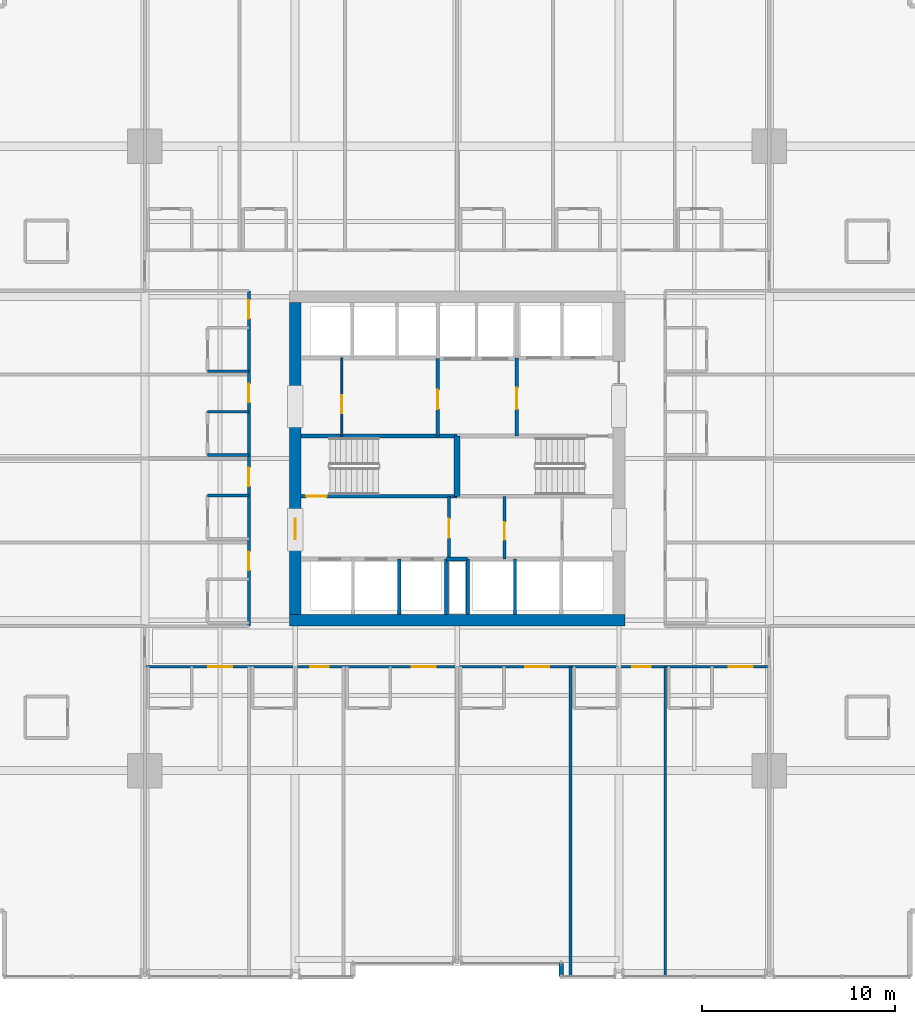
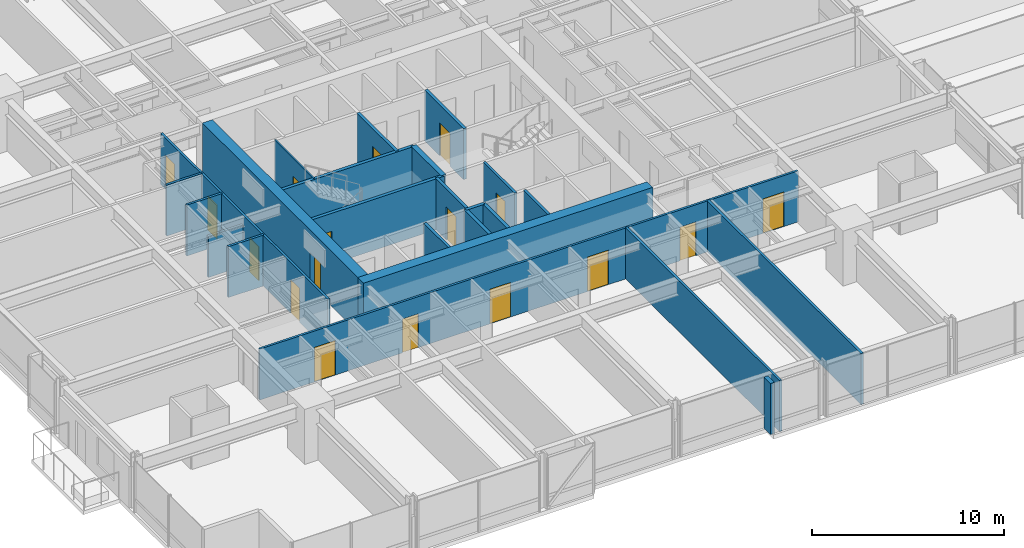
# One storey, part 32 of 42: 24 walls, 17 doors, 17 openings.
"""IFC4 building model written with IfcOpenShell, lengths in metres."""

from ifc_helpers import new_model, si_unit, direction, frame, frame_2d, origin, place, context, subcontext, project, spatial, rectangle, extrude, material, layer, layer_set, type_object, element, fill, save


model = new_model("IFC4")

# Units and contexts
model_context = context("Model", 3, precision=1e-05, world=origin(), true_north=direction((0.0, 1.0)))
body_context = subcontext(model_context, "Body", "Model", "MODEL_VIEW")
ifc_project = project(units=[si_unit("LENGTHUNIT", "METRE"), si_unit("AREAUNIT", "SQUARE_METRE"), si_unit("VOLUMEUNIT", "CUBIC_METRE"), si_unit("PLANEANGLEUNIT", "RADIAN"), si_unit("MASSUNIT", "GRAM", prefix="KILO")], contexts=[model_context])

# Site, building, storey
site_placement = place(None, origin())
site = spatial("IfcSite", under=ifc_project, at=site_placement, CompositionType="ELEMENT")
building_placement = place(site_placement, origin())
building = spatial("IfcBuilding", under=site, at=building_placement, Name="Drelvath Grand Hotel", CompositionType="ELEMENT")
storey_placement = place(building_placement, frame((0.0, 0.0, 33.199951171875)))
storey = spatial("IfcBuildingStorey", under=building, at=storey_placement, Name="L06", CompositionType="ELEMENT", Elevation=33.199951171875)

# Wall, opening, door
ifc_material_1 = material(Name="Gypsum Partition Board")
ifc_layer_1 = layer(ifc_material_1, 0.10009765625)
ifc_layer_set_1 = layer_set([ifc_layer_1], Name="Gypsum Partition Board")
wall_type_1 = type_object("IfcWallType", Name="Core Closet Partition 100", PredefinedType="PARTITIONING", material=ifc_layer_set_1)
wall_1_placement = place(storey_placement, frame((-5.97998046875, 28.159912109375, 0.0), z_axis=(0.0, 0.0, 1.0), x_axis=(0.0, 1.0, 0.0)))
wall_1 = element("IfcWall", 1, at=wall_1_placement, inside=storey, type_object=wall_type_1, Name="L06 Core Closet Divider 2", PredefinedType="PARTITIONING", context=body_context, shape_type="SweptSolid", body=[
    extrude(rectangle(XDim=4.06005859375, YDim=0.10009765625, at=frame_2d((2.030029296875, 0.0))), origin(), (0.0, 0.0, 1.0), 3.239990234375),
])
opening_1_placement = place(wall_1_placement, frame((1.199951171875, 0.0, 0.0)))
opening_1 = element("IfcOpeningElement", 2, at=opening_1_placement, cuts=wall_1, Name="Opening D-T1G1-010", PredefinedType="OPENING", context=body_context, shape_type="SweptSolid", body=[
    extrude(rectangle(XDim=0.919921875, YDim=2.10009765625, at=frame_2d((0.4599609375, 1.050048828125))), frame((0.0, 0.06005859375, 0.0), z_axis=(0.0, -1.0, 0.0), x_axis=(1.0, 0.0, 0.0)), (0.0, 0.0, 1.0), 0.1201171875),
])
ifc_material_2 = material(Name="Painted Steel S275", Category="steel")
door_type_1 = type_object("IfcDoorType", Name="Staff Utility Door 920x2100", OperationType="NOTDEFINED", PredefinedType="DOOR", material=ifc_material_2)
door_1_placement = place(opening_1_placement, origin())
door_1 = element("IfcDoor", 3, at=door_1_placement, inside=storey, type_object=door_type_1, Name="L06 Low-Voltage Closet Door", OperationType="SINGLE_SWING_RIGHT", OverallHeight=2.10009765625, OverallWidth=0.919921875, PredefinedType="DOOR", context=body_context, shape_type="SweptSolid", body=[
    extrude(rectangle(XDim=0.919921875, YDim=2.10009765625, at=frame_2d((0.4599609375, 1.050048828125))), frame((0.0, 0.02490234375, 0.0), z_axis=(0.0, -1.0, 0.0), x_axis=(1.0, 0.0, 0.0)), (0.0, 0.0, 1.0), 0.050048828125),
])
fill(opening_1, door_1)

# Walls
ifc_material_3 = material(Name="Concrete C40/50", Category="concrete")
ifc_layer_2 = layer(ifc_material_3, 0.199951171875)
ifc_layer_set_2 = layer_set([ifc_layer_2], Name="Concrete C40/50")
wall_type_2 = type_object("IfcWallType", Name="Core Hoistway Fire Wall 200", PredefinedType="SOLIDWALL", material=ifc_layer_set_2)
for number, where, z_axis, x_axis, name in (
    (4, (-0.550048828125, 18.89990234375, 0.0), (0.0, 0.0, 1.0), (0.0, 1.0, 0.0), "L06 Bank 1 East Wall"),
    (5, (0.550048828125, 18.89990234375, 0.0), (0.0, 0.0, 1.0), (0.0, 1.0, 0.0), "L06 Bank 2 West Wall"),
):
    element("IfcWall", number, at=place(storey_placement, frame(where, z_axis=z_axis, x_axis=x_axis)), inside=storey, type_object=wall_type_2, Name=name, PredefinedType="SOLIDWALL", context=body_context, shape_type="SweptSolid", body=[
        extrude(rectangle(XDim=2.880126953125, YDim=0.199951171875, at=frame_2d((1.43994140625, 0.0))), origin(), (0.0, 0.0, 1.0), 3.239990234375),
    ])
wall_2_placement = place(storey_placement, frame((-0.550048828125, 21.780029296875, 0.0), z_axis=(0.0, 0.0, 1.0), x_axis=(1.0, 0.0, 0.0)))
element("IfcWall", 6, at=wall_2_placement, inside=storey, type_object=wall_type_2, Name="L06 Core Riser Wall", PredefinedType="SOLIDWALL", context=body_context, shape_type="SweptSolid", body=[
    extrude(rectangle(XDim=1.10009765625, YDim=0.199951171875, at=frame_2d((0.550048828125, 0.0))), origin(), (0.0, 0.0, 1.0), 3.239990234375),
])

# Wall, opening, door
ifc_layer_3 = layer(ifc_material_3, 0.199951171875)
ifc_layer_set_3 = layer_set([ifc_layer_3], Name="Concrete C40/50")
wall_type_3 = type_object("IfcWallType", Name="Core Shaft Fire Wall 200", PredefinedType="SOLIDWALL", material=ifc_layer_set_3)
wall_3_placement = place(storey_placement, frame((-8.10009765625, 25.0400390625, 0.0), z_axis=(0.0, 0.0, 1.0), x_axis=(1.0, 0.0, 0.0)))
wall_3 = element("IfcWall", 7, at=wall_3_placement, inside=storey, type_object=wall_type_3, Name="L06 Stair ST-1 South Wall", PredefinedType="SOLIDWALL", context=body_context, shape_type="SweptSolid", body=[
    extrude(rectangle(XDim=8.10009765625, YDim=0.199951171875, at=frame_2d((4.050048828125, 0.0))), origin(), (0.0, 0.0, 1.0), 3.239990234375),
])
opening_2_placement = place(wall_3_placement, frame((0.280029296875, 0.0, 0.0)))
opening_2 = element("IfcOpeningElement", 8, at=opening_2_placement, cuts=wall_3, Name="Opening D-T1G1-001", PredefinedType="OPENING", context=body_context, shape_type="SweptSolid", body=[
    extrude(rectangle(XDim=1.050048828125, YDim=2.10009765625, at=frame_2d((0.52490234375, 1.050048828125))), frame((0.0, 0.10986328125, 0.0), z_axis=(0.0, -1.0, 0.0), x_axis=(1.0, 0.0, 0.0)), (0.0, 0.0, 1.0), 0.219970703125),
])
door_type_2 = type_object("IfcDoorType", Name="Tower Stairwell Fire Door 1050x2100", OperationType="NOTDEFINED", PredefinedType="DOOR", material=ifc_material_2)
door_2_placement = place(opening_2_placement, origin())
door_2 = element("IfcDoor", 9, at=door_2_placement, inside=storey, type_object=door_type_2, Name="L06 Exit Stair ST-1 Door", OperationType="SINGLE_SWING_LEFT", OverallHeight=2.10009765625, OverallWidth=1.050048828125, PredefinedType="DOOR", context=body_context, shape_type="SweptSolid", body=[
    extrude(rectangle(XDim=1.050048828125, YDim=2.10009765625, at=frame_2d((0.52490234375, 1.050048828125))), frame((0.0, 0.02490234375, 0.0), z_axis=(0.0, -1.0, 0.0), x_axis=(1.0, 0.0, 0.0)), (0.0, 0.0, 1.0), 0.050048828125),
])
fill(opening_2, door_2)

# Walls
wall_4_placement = place(storey_placement, frame((-8.10009765625, 28.159912109375, 0.0), z_axis=(0.0, 0.0, 1.0), x_axis=(1.0, 0.0, 0.0)))
element("IfcWall", 10, at=wall_4_placement, inside=storey, type_object=wall_type_3, Name="L06 Stair ST-1 North Wall", PredefinedType="SOLIDWALL", context=body_context, shape_type="SweptSolid", body=[
    extrude(rectangle(XDim=8.10009765625, YDim=0.199951171875, at=frame_2d((4.050048828125, 0.0))), origin(), (0.0, 0.0, 1.0), 3.239990234375),
])
ifc_layer_4 = layer(ifc_material_3, 0.300048828125)
ifc_layer_set_4 = layer_set([ifc_layer_4], Name="Concrete C40/50")
wall_type_4 = type_object("IfcWallType", Name="Core Shaft Fire Wall 300", PredefinedType="SOLIDWALL", material=ifc_layer_set_4)
wall_5_placement = place(storey_placement, frame((0.0, 25.0400390625, 0.0), z_axis=(0.0, 0.0, 1.0), x_axis=(0.0, 1.0, 0.0)))
element("IfcWall", 11, at=wall_5_placement, inside=storey, type_object=wall_type_4, Name="L06 Core Stair Divider Wall", PredefinedType="SOLIDWALL", context=body_context, shape_type="SweptSolid", body=[
    extrude(rectangle(XDim=3.119873046875, YDim=0.300048828125, at=frame_2d((1.56005859375, 0.0))), origin(), (0.0, 0.0, 1.0), 3.239990234375),
])
ifc_material_4 = material(Name="Gypsum Fireboard Partition")
ifc_layer_5 = layer(ifc_material_4, 0.1650390625)
ifc_layer_set_5 = layer_set([ifc_layer_5], Name="Gypsum Fireboard Partition")
wall_type_5 = type_object("IfcWallType", Name="Core Shaft Partition 165", PredefinedType="PARTITIONING", material=ifc_layer_set_5)
for number, where, z_axis, x_axis, name in (
    (12, (-3.0, 18.89990234375, 0.0), (0.0, 0.0, 1.0), (0.0, 1.0, 0.0), "L06 Lift PE-2/3 Divider"),
    (13, (3.0, 18.89990234375, 0.0), (0.0, 0.0, 1.0), (0.0, 1.0, 0.0), "L06 Lift PE-4/5 Divider"),
):
    element("IfcWall", number, at=place(storey_placement, frame(where, z_axis=z_axis, x_axis=x_axis)), inside=storey, type_object=wall_type_5, Name=name, PredefinedType="PARTITIONING", context=body_context, shape_type="SweptSolid", body=[
        extrude(rectangle(XDim=2.880126953125, YDim=0.1650390625, at=frame_2d((1.43994140625, 0.0))), origin(), (0.0, 0.0, 1.0), 3.239990234375),
    ])

# Wall, openings, doors
ifc_layer_6 = layer(ifc_material_4, 0.135009765625)
ifc_layer_set_6 = layer_set([ifc_layer_6], Name="Gypsum Fireboard Partition")
wall_type_6 = type_object("IfcWallType", Name="Corridor Fire Barrier Wall 135", PredefinedType="PARTITIONING", material=ifc_layer_set_6)
wall_6_placement = place(storey_placement, frame((-16.199951171875, 16.199951171875, 0.0), z_axis=(0.0, 0.0, 1.0), x_axis=(1.0, 0.0, 0.0)))
wall_6 = element("IfcWall", 14, at=wall_6_placement, inside=storey, type_object=wall_type_6, Name="L06 South Corridor Wall", PredefinedType="PARTITIONING", context=body_context, shape_type="SweptSolid", body=[
    extrude(rectangle(XDim=32.39990234375, YDim=0.135009765625, at=frame_2d((16.199951171875, 0.0))), origin(), (0.0, 0.0, 1.0), 3.239990234375),
])
opening_3_placement = place(wall_6_placement, frame((3.284912109375, 0.0, 0.0)))
opening_3 = element("IfcOpeningElement", 15, at=opening_3_placement, cuts=wall_6, Name="Opening D-T1G1-027", PredefinedType="OPENING", context=body_context, shape_type="SweptSolid", body=[
    extrude(rectangle(XDim=1.260009765625, YDim=2.199951171875, at=frame_2d((0.6298828125, 1.10009765625))), frame((0.0, 0.077392578125, 0.0), z_axis=(0.0, -1.0, 0.0), x_axis=(1.0, 0.0, 0.0)), (0.0, 0.0, 1.0), 0.155029296875),
])
opening_4_placement = place(wall_6_placement, frame((8.589599609375, 0.0, 0.0)))
opening_4 = element("IfcOpeningElement", 16, at=opening_4_placement, cuts=wall_6, Name="Opening D-T1G1-029", PredefinedType="OPENING", context=body_context, shape_type="SweptSolid", body=[
    extrude(rectangle(XDim=0.9599609375, YDim=2.14990234375, at=frame_2d((0.47998046875, 1.074951171875))), frame((0.0, 0.077392578125, 0.0), z_axis=(0.0, -1.0, 0.0), x_axis=(1.0, 0.0, 0.0)), (0.0, 0.0, 1.0), 0.155029296875),
])
opening_5_placement = place(wall_6_placement, frame((13.839599609375, 0.0, 0.0)))
opening_5 = element("IfcOpeningElement", 17, at=opening_5_placement, cuts=wall_6, Name="Opening D-T1G1-031", PredefinedType="OPENING", context=body_context, shape_type="SweptSolid", body=[
    extrude(rectangle(XDim=1.260009765625, YDim=2.199951171875, at=frame_2d((0.6298828125, 1.10009765625))), frame((0.0, 0.077392578125, 0.0), z_axis=(0.0, -1.0, 0.0), x_axis=(1.0, 0.0, 0.0)), (0.0, 0.0, 1.0), 0.155029296875),
])
opening_6_placement = place(wall_6_placement, frame((19.73046875, 0.0, 0.0)))
opening_6 = element("IfcOpeningElement", 18, at=opening_6_placement, cuts=wall_6, Name="Opening D-T1G1-033", PredefinedType="OPENING", context=body_context, shape_type="SweptSolid", body=[
    extrude(rectangle(XDim=1.260009765625, YDim=2.199951171875, at=frame_2d((0.6298828125, 1.10009765625))), frame((0.0, 0.077392578125, 0.0), z_axis=(0.0, -1.0, 0.0), x_axis=(1.0, 0.0, 0.0)), (0.0, 0.0, 1.0), 0.155029296875),
])
opening_7_placement = place(wall_6_placement, frame((25.280517578125, 0.0, 0.0)))
opening_7 = element("IfcOpeningElement", 19, at=opening_7_placement, cuts=wall_6, Name="Opening D-T1G1-035", PredefinedType="OPENING", context=body_context, shape_type="SweptSolid", body=[
    extrude(rectangle(XDim=0.9599609375, YDim=2.14990234375, at=frame_2d((0.47998046875, 1.074951171875))), frame((0.0, 0.077392578125, 0.0), z_axis=(0.0, -1.0, 0.0), x_axis=(1.0, 0.0, 0.0)), (0.0, 0.0, 1.0), 0.155029296875),
])
opening_8_placement = place(wall_6_placement, frame((30.284912109375, 0.0, 0.0)))
opening_8 = element("IfcOpeningElement", 20, at=opening_8_placement, cuts=wall_6, Name="Opening D-T1G1-037", PredefinedType="OPENING", context=body_context, shape_type="SweptSolid", body=[
    extrude(rectangle(XDim=1.260009765625, YDim=2.199951171875, at=frame_2d((0.6298828125, 1.10009765625))), frame((0.0, 0.077392578125, 0.0), z_axis=(0.0, -1.0, 0.0), x_axis=(1.0, 0.0, 0.0)), (0.0, 0.0, 1.0), 0.155029296875),
])
ifc_material_5 = material(Name="Hardwood Walnut Timber", Category="wood")
door_type_3 = type_object("IfcDoorType", Name="Guestroom Entrance Fire Door 960x2150", OperationType="NOTDEFINED", PredefinedType="DOOR", material=ifc_material_5)
door_3_placement = place(opening_4_placement, origin())
door_3 = element("IfcDoor", 21, at=door_3_placement, inside=storey, type_object=door_type_3, Name="L06 King Guest Room Entry Door", OperationType="SINGLE_SWING_RIGHT", OverallHeight=2.14990234375, OverallWidth=0.9599609375, PredefinedType="DOOR", context=body_context, shape_type="SweptSolid", body=[
    extrude(rectangle(XDim=0.9599609375, YDim=2.14990234375, at=frame_2d((0.47998046875, 1.074951171875))), frame((0.0, 0.02490234375, 0.0), z_axis=(0.0, -1.0, 0.0), x_axis=(1.0, 0.0, 0.0)), (0.0, 0.0, 1.0), 0.050048828125),
])
fill(opening_4, door_3)
door_4_placement = place(opening_7_placement, origin())
door_4 = element("IfcDoor", 22, at=door_4_placement, inside=storey, type_object=door_type_3, Name="L06 King Guest Room Entry Door", OperationType="SINGLE_SWING_RIGHT", OverallHeight=2.14990234375, OverallWidth=0.9599609375, PredefinedType="DOOR", context=body_context, shape_type="SweptSolid", body=[
    extrude(rectangle(XDim=0.9599609375, YDim=2.14990234375, at=frame_2d((0.47998046875, 1.074951171875))), frame((0.0, 0.02490234375, 0.0), z_axis=(0.0, -1.0, 0.0), x_axis=(1.0, 0.0, 0.0)), (0.0, 0.0, 1.0), 0.050048828125),
])
fill(opening_7, door_4)
door_type_4 = type_object("IfcDoorType", Name="Suite Entrance Fire Door 1260x2200", OperationType="NOTDEFINED", PredefinedType="DOOR", material=ifc_material_5)
door_5_placement = place(opening_3_placement, origin())
door_5 = element("IfcDoor", 23, at=door_5_placement, inside=storey, type_object=door_type_4, Name="L06 Corner Suite Entry Door", OperationType="SINGLE_SWING_RIGHT", OverallHeight=2.199951171875, OverallWidth=1.260009765625, PredefinedType="DOOR", context=body_context, shape_type="SweptSolid", body=[
    extrude(rectangle(XDim=1.260009765625, YDim=2.199951171875, at=frame_2d((0.6298828125, 1.10009765625))), frame((0.0, 0.02490234375, 0.0), z_axis=(0.0, -1.0, 0.0), x_axis=(1.0, 0.0, 0.0)), (0.0, 0.0, 1.0), 0.050048828125),
])
fill(opening_3, door_5)
door_6_placement = place(opening_5_placement, origin())
door_6 = element("IfcDoor", 24, at=door_6_placement, inside=storey, type_object=door_type_4, Name="L06 Corner Suite Entry Door", OperationType="SINGLE_SWING_RIGHT", OverallHeight=2.199951171875, OverallWidth=1.260009765625, PredefinedType="DOOR", context=body_context, shape_type="SweptSolid", body=[
    extrude(rectangle(XDim=1.260009765625, YDim=2.199951171875, at=frame_2d((0.6298828125, 1.10009765625))), frame((0.0, 0.02490234375, 0.0), z_axis=(0.0, -1.0, 0.0), x_axis=(1.0, 0.0, 0.0)), (0.0, 0.0, 1.0), 0.050048828125),
])
fill(opening_5, door_6)
door_7_placement = place(opening_6_placement, origin())
door_7 = element("IfcDoor", 25, at=door_7_placement, inside=storey, type_object=door_type_4, Name="L06 Corner Suite Entry Door", OperationType="SINGLE_SWING_RIGHT", OverallHeight=2.199951171875, OverallWidth=1.260009765625, PredefinedType="DOOR", context=body_context, shape_type="SweptSolid", body=[
    extrude(rectangle(XDim=1.260009765625, YDim=2.199951171875, at=frame_2d((0.6298828125, 1.10009765625))), frame((0.0, 0.02490234375, 0.0), z_axis=(0.0, -1.0, 0.0), x_axis=(1.0, 0.0, 0.0)), (0.0, 0.0, 1.0), 0.050048828125),
])
fill(opening_6, door_7)
door_8_placement = place(opening_8_placement, origin())
door_8 = element("IfcDoor", 26, at=door_8_placement, inside=storey, type_object=door_type_4, Name="L06 Corner Suite Entry Door", OperationType="SINGLE_SWING_RIGHT", OverallHeight=2.199951171875, OverallWidth=1.260009765625, PredefinedType="DOOR", context=body_context, shape_type="SweptSolid", body=[
    extrude(rectangle(XDim=1.260009765625, YDim=2.199951171875, at=frame_2d((0.6298828125, 1.10009765625))), frame((0.0, 0.02490234375, 0.0), z_axis=(0.0, -1.0, 0.0), x_axis=(1.0, 0.0, 0.0)), (0.0, 0.0, 1.0), 0.050048828125),
])
fill(opening_8, door_8)

wall_7_placement = place(storey_placement, frame((-10.800048828125, 18.300048828125, 0.0), z_axis=(0.0, 0.0, 1.0), x_axis=(0.0, 1.0, 0.0)))
wall_7 = element("IfcWall", 27, at=wall_7_placement, inside=storey, type_object=wall_type_6, Name="L06 West Corridor Wall", PredefinedType="PARTITIONING", context=body_context, shape_type="SweptSolid", body=[
    extrude(rectangle(XDim=17.39990234375, YDim=0.135009765625, at=frame_2d((8.699951171875, 0.0))), origin(), (0.0, 0.0, 1.0), 3.239990234375),
])
opening_9_placement = place(wall_7_placement, frame((2.909912109375, 0.0, 0.0)))
opening_9 = element("IfcOpeningElement", 28, at=opening_9_placement, cuts=wall_7, Name="Opening D-T1G1-050", PredefinedType="OPENING", context=body_context, shape_type="SweptSolid", body=[
    extrude(rectangle(XDim=0.9599609375, YDim=2.14990234375, at=frame_2d((0.47998046875, 1.074951171875))), frame((0.0, 0.077392578125, 0.0), z_axis=(0.0, -1.0, 0.0), x_axis=(1.0, 0.0, 0.0)), (0.0, 0.0, 1.0), 0.155029296875),
])
opening_10_placement = place(wall_7_placement, frame((7.260009765625, 0.0, 0.0)))
opening_10 = element("IfcOpeningElement", 29, at=opening_10_placement, cuts=wall_7, Name="Opening D-T1G1-052", PredefinedType="OPENING", context=body_context, shape_type="SweptSolid", body=[
    extrude(rectangle(XDim=0.9599609375, YDim=2.14990234375, at=frame_2d((0.47998046875, 1.074951171875))), frame((0.0, 0.077392578125, 0.0), z_axis=(0.0, -1.0, 0.0), x_axis=(1.0, 0.0, 0.0)), (0.0, 0.0, 1.0), 0.155029296875),
])
opening_11_placement = place(wall_7_placement, frame((11.610107421875, 0.0, 0.0)))
opening_11 = element("IfcOpeningElement", 30, at=opening_11_placement, cuts=wall_7, Name="Opening D-T1G1-054", PredefinedType="OPENING", context=body_context, shape_type="SweptSolid", body=[
    extrude(rectangle(XDim=0.9599609375, YDim=2.14990234375, at=frame_2d((0.47998046875, 1.074951171875))), frame((0.0, 0.077392578125, 0.0), z_axis=(0.0, -1.0, 0.0), x_axis=(1.0, 0.0, 0.0)), (0.0, 0.0, 1.0), 0.155029296875),
])
opening_12_placement = place(wall_7_placement, frame((15.9599609375, 0.0, 0.0)))
opening_12 = element("IfcOpeningElement", 31, at=opening_12_placement, cuts=wall_7, Name="Opening D-T1G1-056", PredefinedType="OPENING", context=body_context, shape_type="SweptSolid", body=[
    extrude(rectangle(XDim=0.9599609375, YDim=2.14990234375, at=frame_2d((0.47998046875, 1.074951171875))), frame((0.0, 0.077392578125, 0.0), z_axis=(0.0, -1.0, 0.0), x_axis=(1.0, 0.0, 0.0)), (0.0, 0.0, 1.0), 0.155029296875),
])
door_9_placement = place(opening_9_placement, origin())
door_9 = element("IfcDoor", 32, at=door_9_placement, inside=storey, type_object=door_type_3, Name="L06 King Guest Room Entry Door", OperationType="SINGLE_SWING_LEFT", OverallHeight=2.14990234375, OverallWidth=0.9599609375, PredefinedType="DOOR", context=body_context, shape_type="SweptSolid", body=[
    extrude(rectangle(XDim=0.9599609375, YDim=2.14990234375, at=frame_2d((0.47998046875, 1.074951171875))), frame((0.0, 0.02490234375, 0.0), z_axis=(0.0, -1.0, 0.0), x_axis=(1.0, 0.0, 0.0)), (0.0, 0.0, 1.0), 0.050048828125),
])
fill(opening_9, door_9)
door_10_placement = place(opening_10_placement, origin())
door_10 = element("IfcDoor", 33, at=door_10_placement, inside=storey, type_object=door_type_3, Name="L06 King Guest Room Entry Door", OperationType="SINGLE_SWING_LEFT", OverallHeight=2.14990234375, OverallWidth=0.9599609375, PredefinedType="DOOR", context=body_context, shape_type="SweptSolid", body=[
    extrude(rectangle(XDim=0.9599609375, YDim=2.14990234375, at=frame_2d((0.47998046875, 1.074951171875))), frame((0.0, 0.02490234375, 0.0), z_axis=(0.0, -1.0, 0.0), x_axis=(1.0, 0.0, 0.0)), (0.0, 0.0, 1.0), 0.050048828125),
])
fill(opening_10, door_10)
door_11_placement = place(opening_11_placement, origin())
door_11 = element("IfcDoor", 34, at=door_11_placement, inside=storey, type_object=door_type_3, Name="L06 King Guest Room Entry Door", OperationType="SINGLE_SWING_LEFT", OverallHeight=2.14990234375, OverallWidth=0.9599609375, PredefinedType="DOOR", context=body_context, shape_type="SweptSolid", body=[
    extrude(rectangle(XDim=0.9599609375, YDim=2.14990234375, at=frame_2d((0.47998046875, 1.074951171875))), frame((0.0, 0.02490234375, 0.0), z_axis=(0.0, -1.0, 0.0), x_axis=(1.0, 0.0, 0.0)), (0.0, 0.0, 1.0), 0.050048828125),
])
fill(opening_11, door_11)
door_12_placement = place(opening_12_placement, origin())
door_12 = element("IfcDoor", 35, at=door_12_placement, inside=storey, type_object=door_type_3, Name="L06 King Guest Room Entry Door", OperationType="SINGLE_SWING_LEFT", OverallHeight=2.14990234375, OverallWidth=0.9599609375, PredefinedType="DOOR", context=body_context, shape_type="SweptSolid", body=[
    extrude(rectangle(XDim=0.9599609375, YDim=2.14990234375, at=frame_2d((0.47998046875, 1.074951171875))), frame((0.0, 0.02490234375, 0.0), z_axis=(0.0, -1.0, 0.0), x_axis=(1.0, 0.0, 0.0)), (0.0, 0.0, 1.0), 0.050048828125),
])
fill(opening_12, door_12)

# Wall, opening, door
ifc_material_6 = material(Name="Moisture-Resistant Gypsum Board")
ifc_layer_7 = layer(ifc_material_6, 0.139892578125)
ifc_layer_set_7 = layer_set([ifc_layer_7], Name="Moisture-Resistant Gypsum Board")
wall_type_7 = type_object("IfcWallType", Name="En-Suite Plumbing Wall 140", PredefinedType="PLUMBINGWALL", material=ifc_layer_set_7)
wall_8_placement = place(storey_placement, frame((2.4599609375, 21.780029296875, 0.0), z_axis=(0.0, 0.0, 1.0), x_axis=(0.0, 1.0, 0.0)))
wall_8 = element("IfcWall", 36, at=wall_8_placement, inside=storey, type_object=wall_type_7, Name="L06 Staff WC West Wall", PredefinedType="PLUMBINGWALL", context=body_context, shape_type="SweptSolid", body=[
    extrude(rectangle(XDim=3.260009765625, YDim=0.139892578125, at=frame_2d((1.6298828125, 0.0))), origin(), (0.0, 0.0, 1.0), 3.239990234375),
])
opening_13_placement = place(wall_8_placement, frame((1.0, 0.0, 0.0)))
opening_13 = element("IfcOpeningElement", 37, at=opening_13_placement, cuts=wall_8, Name="Opening D-T1G1-016", PredefinedType="OPENING", context=body_context, shape_type="SweptSolid", body=[
    extrude(rectangle(XDim=0.919921875, YDim=2.10009765625, at=frame_2d((0.4599609375, 1.050048828125))), frame((0.0, 0.079833984375, 0.0), z_axis=(0.0, -1.0, 0.0), x_axis=(1.0, 0.0, 0.0)), (0.0, 0.0, 1.0), 0.159912109375),
])
door_13_placement = place(opening_13_placement, origin())
door_13 = element("IfcDoor", 38, at=door_13_placement, inside=storey, type_object=door_type_1, Name="L06 Staff WC Door", OperationType="SINGLE_SWING_LEFT", OverallHeight=2.10009765625, OverallWidth=0.919921875, PredefinedType="DOOR", context=body_context, shape_type="SweptSolid", body=[
    extrude(rectangle(XDim=0.919921875, YDim=2.10009765625, at=frame_2d((0.4599609375, 1.050048828125))), frame((0.0, 0.02490234375, 0.0), z_axis=(0.0, -1.0, 0.0), x_axis=(1.0, 0.0, 0.0)), (0.0, 0.0, 1.0), 0.050048828125),
])
fill(opening_13, door_13)

# Walls
wall_9_placement = place(storey_placement, frame((-10.800048828125, 25.080078125, 0.0), z_axis=(0.0, 0.0, 1.0), x_axis=(-1.0, 0.0, 0.0)))
element("IfcWall", 39, at=wall_9_placement, inside=storey, type_object=wall_type_7, Name="L06 En-Suite Right Wall", PredefinedType="PLUMBINGWALL", context=body_context, shape_type="SweptSolid", body=[
    extrude(rectangle(XDim=2.14990234375, YDim=0.139892578125, at=frame_2d((1.074951171875, 0.0))), origin(), (0.0, 0.0, 1.0), 3.239990234375),
])
wall_10_placement = place(storey_placement, frame((-10.800048828125, 27.179931640625, 0.0), z_axis=(0.0, 0.0, 1.0), x_axis=(-1.0, 0.0, 0.0)))
element("IfcWall", 40, at=wall_10_placement, inside=storey, type_object=wall_type_7, Name="L06 En-Suite Left Wall", PredefinedType="PLUMBINGWALL", context=body_context, shape_type="SweptSolid", body=[
    extrude(rectangle(XDim=2.14990234375, YDim=0.139892578125, at=frame_2d((1.074951171875, 0.0))), origin(), (0.0, 0.0, 1.0), 2.617431640625),
])
for number, where, z_axis, x_axis, name in (
    (41, (-10.800048828125, 29.429931640625, 0.0), (0.0, 0.0, 1.0), (-1.0, 0.0, 0.0), "L06 En-Suite Right Wall"),
    (42, (-10.800048828125, 31.530029296875, 0.0), (0.0, 0.0, 1.0), (-1.0, 0.0, 0.0), "L06 En-Suite Left Wall"),
):
    element("IfcWall", number, at=place(storey_placement, frame(where, z_axis=z_axis, x_axis=x_axis)), inside=storey, type_object=wall_type_7, Name=name, PredefinedType="PLUMBINGWALL", context=body_context, shape_type="SweptSolid", body=[
        extrude(rectangle(XDim=2.14990234375, YDim=0.139892578125, at=frame_2d((1.074951171875, 0.0))), origin(), (0.0, 0.0, 1.0), 3.239990234375),
    ])

# Wall, opening, door
ifc_layer_8 = layer(ifc_material_4, 0.179931640625)
ifc_layer_set_8 = layer_set([ifc_layer_8], Name="Gypsum Fireboard Partition")
wall_type_8 = type_object("IfcWallType", Name="FSAE Smoke Lobby Fire Wall 180", PredefinedType="SOLIDWALL", material=ifc_layer_set_8)
wall_11_placement = place(storey_placement, frame((3.10009765625, 28.159912109375, 0.0), z_axis=(0.0, 0.0, 1.0), x_axis=(0.0, 1.0, 0.0)))
wall_11 = element("IfcWall", 43, at=wall_11_placement, inside=storey, type_object=wall_type_8, Name="L06 FSAE Smoke Lobby West Wall", PredefinedType="SOLIDWALL", context=body_context, shape_type="SweptSolid", body=[
    extrude(rectangle(XDim=4.06005859375, YDim=0.179931640625, at=frame_2d((2.030029296875, 0.0))), origin(), (0.0, 0.0, 1.0), 3.239990234375),
])
opening_14_placement = place(wall_11_placement, frame((1.39990234375, 0.0, 0.0)))
opening_14 = element("IfcOpeningElement", 44, at=opening_14_placement, cuts=wall_11, Name="Opening D-T1G1-005", PredefinedType="OPENING", context=body_context, shape_type="SweptSolid", body=[
    extrude(rectangle(XDim=1.1201171875, YDim=2.10009765625, at=frame_2d((0.56005859375, 1.050048828125))), frame((0.0, 0.099853515625, 0.0), z_axis=(0.0, -1.0, 0.0), x_axis=(1.0, 0.0, 0.0)), (0.0, 0.0, 1.0), 0.199951171875),
])
door_type_5 = type_object("IfcDoorType", Name="FSAE Smoke Lobby Fire Door 1120x2100", OperationType="NOTDEFINED", PredefinedType="DOOR", material=ifc_material_2)
door_14_placement = place(opening_14_placement, origin())
door_14 = element("IfcDoor", 45, at=door_14_placement, inside=storey, type_object=door_type_5, Name="L06 FSAE Lobby Service Vestibule Door", OperationType="SINGLE_SWING_RIGHT", OverallHeight=2.10009765625, OverallWidth=1.1201171875, PredefinedType="DOOR", context=body_context, shape_type="SweptSolid", body=[
    extrude(rectangle(XDim=1.1201171875, YDim=2.10009765625, at=frame_2d((0.56005859375, 1.050048828125))), frame((0.0, 0.02490234375, 0.0), z_axis=(0.0, -1.0, 0.0), x_axis=(1.0, 0.0, 0.0)), (0.0, 0.0, 1.0), 0.050048828125),
])
fill(opening_14, door_14)

wall_12_placement = place(storey_placement, frame((-1.0, 28.159912109375, 0.0), z_axis=(0.0, 0.0, 1.0), x_axis=(0.0, 1.0, 0.0)))
wall_12 = element("IfcWall", 46, at=wall_12_placement, inside=storey, type_object=wall_type_8, Name="L06 Service Vestibule West Wall", PredefinedType="SOLIDWALL", context=body_context, shape_type="SweptSolid", body=[
    extrude(rectangle(XDim=4.02001953125, YDim=0.179931640625, at=frame_2d((2.010009765625, 0.0))), origin(), (0.0, 0.0, 1.0), 3.239990234375),
])
opening_15_placement = place(wall_12_placement, frame((1.39990234375, 0.0, 0.0)))
opening_15 = element("IfcOpeningElement", 47, at=opening_15_placement, cuts=wall_12, Name="Opening D-T1G1-009", PredefinedType="OPENING", context=body_context, shape_type="SweptSolid", body=[
    extrude(rectangle(XDim=1.0, YDim=2.10009765625, at=frame_2d((0.5, 1.050048828125))), frame((0.0, 0.099853515625, 0.0), z_axis=(0.0, -1.0, 0.0), x_axis=(1.0, 0.0, 0.0)), (0.0, 0.0, 1.0), 0.199951171875),
])
door_type_6 = type_object("IfcDoorType", Name="Core Service Fire Door 1000x2100", OperationType="NOTDEFINED", PredefinedType="DOOR", material=ifc_material_2)
door_15_placement = place(opening_15_placement, origin())
door_15 = element("IfcDoor", 48, at=door_15_placement, inside=storey, type_object=door_type_6, Name="L06 Service Vestibule West Door", OperationType="SINGLE_SWING_LEFT", OverallHeight=2.10009765625, OverallWidth=1.0, PredefinedType="DOOR", context=body_context, shape_type="SweptSolid", body=[
    extrude(rectangle(XDim=1.0, YDim=2.10009765625, at=frame_2d((0.5, 1.050048828125))), frame((0.0, 0.02490234375, 0.0), z_axis=(0.0, -1.0, 0.0), x_axis=(1.0, 0.0, 0.0)), (0.0, 0.0, 1.0), 0.050048828125),
])
fill(opening_15, door_15)

wall_13_placement = place(storey_placement, frame((-0.419921875, 21.780029296875, 0.0), z_axis=(0.0, 0.0, 1.0), x_axis=(0.0, 1.0, 0.0)))
wall_13 = element("IfcWall", 49, at=wall_13_placement, inside=storey, type_object=wall_type_8, Name="L06 Low-Rise Lobby East Wall", PredefinedType="SOLIDWALL", context=body_context, shape_type="SweptSolid", body=[
    extrude(rectangle(XDim=3.260009765625, YDim=0.179931640625, at=frame_2d((1.6298828125, 0.0))), origin(), (0.0, 0.0, 1.0), 3.239990234375),
])
opening_16_placement = place(wall_13_placement, frame((1.10009765625, 0.0, 0.0)))
opening_16 = element("IfcOpeningElement", 50, at=opening_16_placement, cuts=wall_13, Name="Opening D-T1G1-014", PredefinedType="OPENING", context=body_context, shape_type="SweptSolid", body=[
    extrude(rectangle(XDim=1.0, YDim=2.10009765625, at=frame_2d((0.5, 1.050048828125))), frame((0.0, 0.099853515625, 0.0), z_axis=(0.0, -1.0, 0.0), x_axis=(1.0, 0.0, 0.0)), (0.0, 0.0, 1.0), 0.199951171875),
])
door_16_placement = place(opening_16_placement, origin())
door_16 = element("IfcDoor", 51, at=door_16_placement, inside=storey, type_object=door_type_6, Name="L06 Housekeeping Entry Door", OperationType="SINGLE_SWING_LEFT", OverallHeight=2.10009765625, OverallWidth=1.0, PredefinedType="DOOR", context=body_context, shape_type="SweptSolid", body=[
    extrude(rectangle(XDim=1.0, YDim=2.10009765625, at=frame_2d((0.5, 1.050048828125))), frame((0.0, 0.02490234375, 0.0), z_axis=(0.0, -1.0, 0.0), x_axis=(1.0, 0.0, 0.0)), (0.0, 0.0, 1.0), 0.050048828125),
])
fill(opening_16, door_16)

# Walls
ifc_material_7 = material(Name="Gypsum Acoustic Partition")
ifc_layer_9 = layer(ifc_material_7, 0.14990234375)
ifc_layer_set_9 = layer_set([ifc_layer_9], Name="Gypsum Acoustic Partition")
wall_type_9 = type_object("IfcWallType", Name="Guestroom Demising Wall 150", PredefinedType="PARTITIONING", material=ifc_layer_set_9)
for number, where, z_axis, x_axis, name in (
    (52, (5.890869140625, 0.1201171875, 0.0), (0.0, 0.0, 1.0), (0.0, 1.0, 0.0), "L06 South Demising 4"),
    (53, (10.800048828125, 0.1201171875, 0.0), (0.0, 0.0, 1.0), (0.0, 1.0, 0.0), "L06 South Demising 5"),
):
    element("IfcWall", number, at=place(storey_placement, frame(where, z_axis=z_axis, x_axis=x_axis)), inside=storey, type_object=wall_type_9, Name=name, PredefinedType="PARTITIONING", context=body_context, shape_type="SweptSolid", body=[
        extrude(rectangle(XDim=16.079833984375, YDim=0.14990234375, at=frame_2d((8.0400390625, 0.0))), origin(), (0.0, 0.0, 1.0), 3.239990234375),
    ])
ifc_material_8 = material(Name="Concrete f'c 70 MPa", Category="concrete")
ifc_layer_10 = layer(ifc_material_8, 0.60009765625)
ifc_layer_set_10 = layer_set([ifc_layer_10], Name="Concrete f'c 70 MPa")
wall_type_10 = type_object("IfcWallType", Name="Lower Core RC Shear Wall 600", PredefinedType="SHEAR", material=ifc_layer_set_10)
wall_14_placement = place(storey_placement, frame((8.699951171875, 18.60009765625, 0.0), z_axis=(0.0, 0.0, 1.0), x_axis=(-1.0, 0.0, 0.0)))
element("IfcWall", 54, at=wall_14_placement, inside=storey, type_object=wall_type_10, Name="L06 Central Core Shear Wall S", PredefinedType="SHEAR", context=body_context, shape_type="SweptSolid", body=[
    extrude(rectangle(XDim=17.39990234375, YDim=0.60009765625, at=frame_2d((8.699951171875, 0.0))), origin(), (0.0, 0.0, 1.0), 3.5),
])

# Wall, opening, door
wall_15_placement = place(storey_placement, frame((-8.39990234375, 18.89990234375, 0.0), z_axis=(0.0, 0.0, 1.0), x_axis=(0.0, 1.0, 0.0)))
wall_15 = element("IfcWall", 55, at=wall_15_placement, inside=storey, type_object=wall_type_10, Name="L06 Central Core Shear Wall W", PredefinedType="SHEAR", context=body_context, shape_type="SweptSolid", body=[
    extrude(rectangle(XDim=16.2001953125, YDim=0.60009765625, at=frame_2d((8.10009765625, 0.0))), origin(), (0.0, 0.0, 1.0), 3.5),
])
opening_17_placement = place(wall_15_placement, frame((3.89990234375, 0.0, 0.0)))
opening_17 = element("IfcOpeningElement", 56, at=opening_17_placement, cuts=wall_15, Name="Opening D-T1G1-015", PredefinedType="OPENING", context=body_context, shape_type="SweptSolid", body=[
    extrude(rectangle(XDim=1.080078125, YDim=2.0400390625, at=frame_2d((0.5400390625, 1.02001953125))), frame((0.0, 0.31005859375, 0.0), z_axis=(0.0, -1.0, 0.0), x_axis=(1.0, 0.0, 0.0)), (0.0, 0.0, 1.0), 0.6201171875),
])
door_type_7 = type_object("IfcDoorType", Name="Core Corridor Fire Door 1080x2100", OperationType="NOTDEFINED", PredefinedType="DOOR", material=ifc_material_2)
door_17_placement = place(opening_17_placement, origin())
door_17 = element("IfcDoor", 57, at=door_17_placement, inside=storey, type_object=door_type_7, Name="L06 Low-Rise Lobby West Door", OperationType="SINGLE_SWING_RIGHT", OverallHeight=2.0400390625, OverallWidth=1.080078125, PredefinedType="DOOR", context=body_context, shape_type="SweptSolid", body=[
    extrude(rectangle(XDim=1.080078125, YDim=2.0400390625, at=frame_2d((0.5400390625, 1.02001953125))), frame((0.0, 0.02490234375, 0.0), z_axis=(0.0, -1.0, 0.0), x_axis=(1.0, 0.0, 0.0)), (0.0, 0.0, 1.0), 0.050048828125),
])
fill(opening_17, door_17)

# Wall
ifc_material_9 = material(Name="Pale-Metal Insulated Aluminium Spandrel Assembly", Category="aluminium")
ifc_layer_11 = layer(ifc_material_9, 0.239990234375)
ifc_layer_set_11 = layer_set([ifc_layer_11], Name="Pale-Metal Insulated Aluminium Spandrel Assembly")
wall_type_11 = type_object("IfcWallType", Name="Tower Insulated Metal Spandrel Closure Wall 240", PredefinedType="STANDARD", material=ifc_layer_set_11)
wall_16_placement = place(storey_placement, frame((5.39990234375, 0.1201171875, 0.0), z_axis=(0.0, 0.0, 1.0), x_axis=(0.0, 1.0, 0.0)))
element("IfcWall", 58, at=wall_16_placement, inside=storey, type_object=wall_type_11, Name="L06 Notched Corner Return Spandrel Wall RS1", PredefinedType="STANDARD", context=body_context, shape_type="SweptSolid", body=[
    extrude(rectangle(XDim=0.679931640625, YDim=0.239990234375, at=frame_2d((0.33984375, 0.0))), origin(), (0.0, 0.0, 1.0), 3.239990234375),
])

save(model, "model.ifc")
